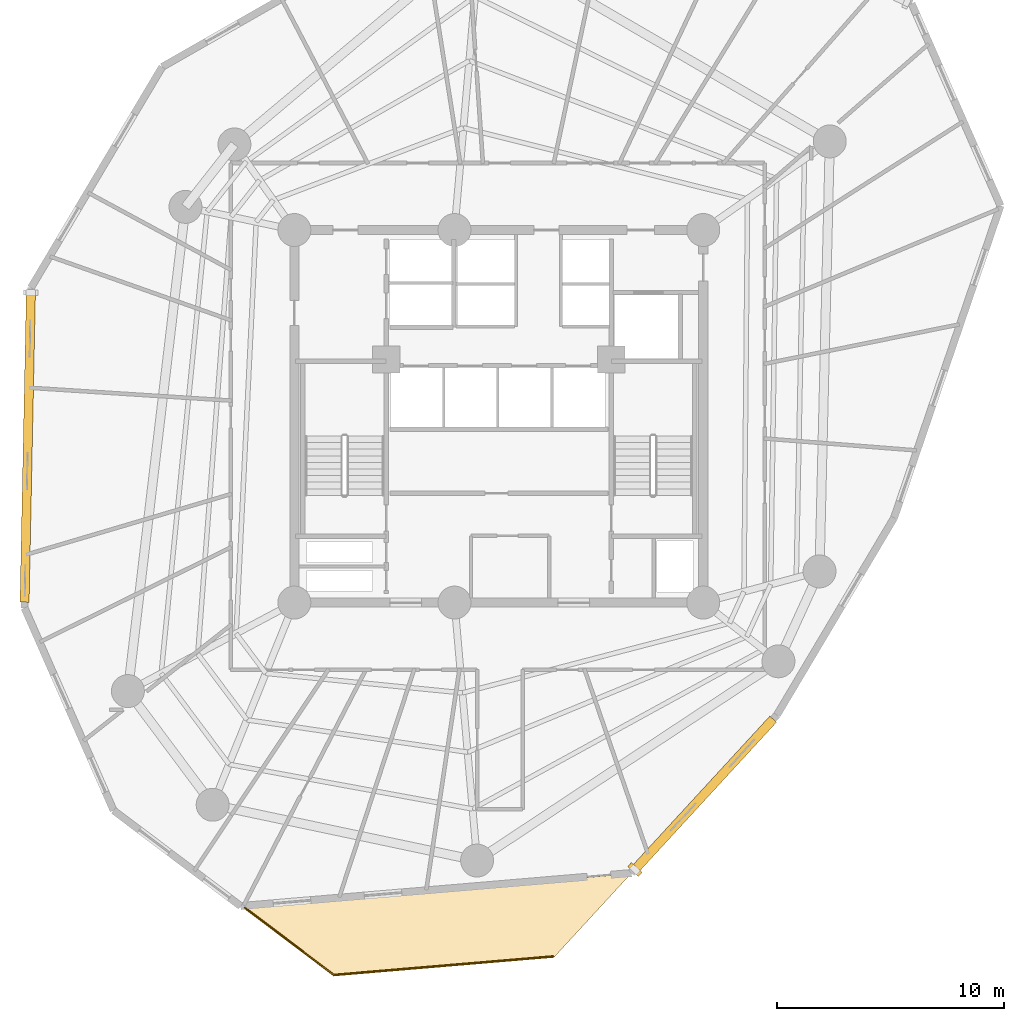
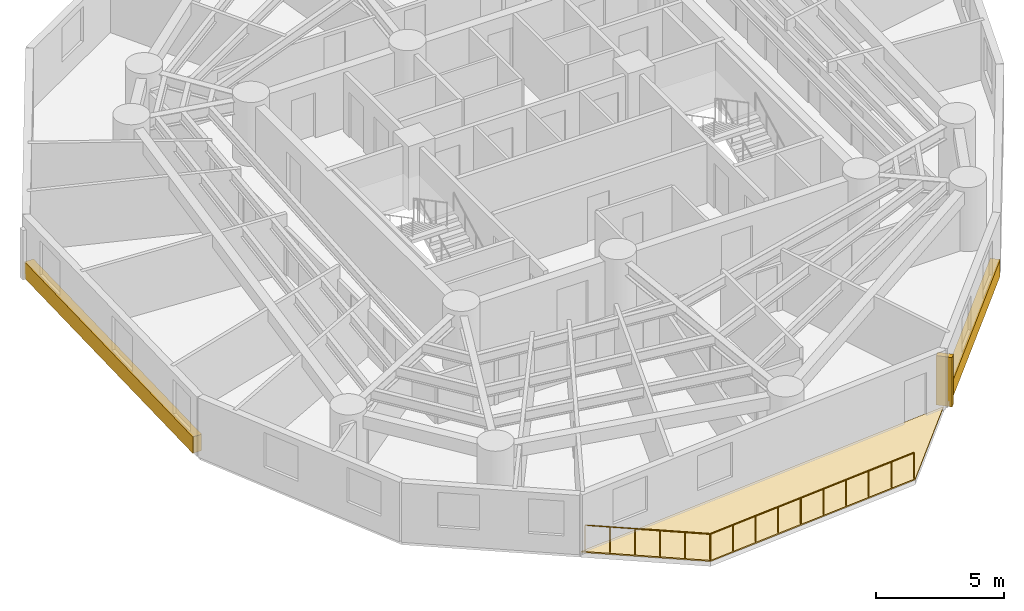
# One storey, part 8 of 10: 3 coverings, 2 railings, 1 shading device.
"""IFC4 building model written with IfcOpenShell, lengths in metres."""

from ifc_helpers import new_model, si_unit, direction, frame, origin, origin_with_axes, origin_2d, place, context, subcontext, project, spatial, polyline, rectangle, circle, outline, extrude, source, transform, mapped, material, layer, layer_set, type_object, element, save


model = new_model("IFC4")

# Units and contexts
model_context = context("Model", 3, precision=1e-05, world=origin(), true_north=direction((0.0, 1.0)))
body_context = subcontext(model_context, "Body", "Model", "MODEL_VIEW")
ifc_project = project(units=[si_unit("LENGTHUNIT", "METRE"), si_unit("AREAUNIT", "SQUARE_METRE"), si_unit("VOLUMEUNIT", "CUBIC_METRE"), si_unit("PLANEANGLEUNIT", "RADIAN"), si_unit("MASSUNIT", "GRAM", prefix="KILO")], contexts=[model_context])

# Site, building, storey
site_placement = place(None, origin())
site = spatial("IfcSite", under=ifc_project, at=site_placement, CompositionType="ELEMENT")
building_placement = place(site_placement, origin())
building = spatial("IfcBuilding", under=site, at=building_placement, Name="Karkom Vertical University and Central Library", CompositionType="ELEMENT")
storey_placement = place(building_placement, frame((0.0, 0.0, 111.449951171875)))
storey = spatial("IfcBuildingStorey", under=building, at=storey_placement, Name="L30", CompositionType="ELEMENT", Elevation=111.449951171875)

# Covering
ifc_material_1 = material(Name="EPDM membrane with Kota stone ballast roofing", Category="masonry")
ifc_layer_1 = layer(ifc_material_1, 0.080078125)
ifc_layer_set_1 = layer_set([ifc_layer_1], Name="EPDM membrane with Kota stone ballast roofing")
covering_type_1 = type_object("IfcCoveringType", Name="ENV-COV-ROOF", PredefinedType="ROOFING", material=ifc_layer_set_1)
covering_1_placement = place(storey_placement, origin())
element("IfcCovering", 1, at=covering_1_placement, inside=storey, type_object=covering_type_1, Name="Level 30 Spiral Sky Garden Waterproofing Covering", PredefinedType="ROOFING", context=body_context, shape_type="SweptSolid", body=[
    extrude(outline(polyline([(30.918701171875, 2.668212890625), (21.232177734375, 1.85009765625), (17.158203125, 4.917236328125), (34.322265625, 6.366943359375), (30.918701171875, 2.668212890625)])), origin(), (0.0, 0.0, 1.0), 0.06005859375),
])

# Railings
ifc_material_2 = material(Name="Architectural painted steel & laminated glass balustrade", Category="steel")
ifc_layer_2 = layer(ifc_material_2, 0.090087890625)
ifc_layer_set_2 = layer_set([ifc_layer_2], Name="Architectural painted steel & laminated glass balustrade")
railing_type = type_object("IfcRailingType", Name="ENV-RL-BAL1300", PredefinedType="BALUSTRADE", material=ifc_layer_set_2)
railing_1_placement = place(storey_placement, frame((30.890380859375, 2.72607421875, 0.0)))
element("IfcRailing", 2, at=railing_1_placement, inside=storey, type_object=railing_type, Name="Level 30 Planted Terrace Safety Balustrade 01", PredefinedType="BALUSTRADE", context=body_context, shape_type="SweptSolid", body=[
    extrude(circle(Radius=0.02392578125, at=origin_2d()), frame((0.0, 0.0, 1.27587890625), z_axis=(-0.996450259877, -0.084183606426, 0.0), x_axis=(0.084183606426, -0.996450259877, 0.0)), (0.0, 0.0, 1.0), 9.6748046875),
    extrude(circle(Radius=0.02099609375, at=origin_2d()), origin(), (0.0, 0.0, 1.0), 1.251953125),
    extrude(circle(Radius=0.02099609375, at=origin_2d()), frame((-1.071044921875, -0.090576171875, 0.0)), (0.0, 0.0, 1.0), 1.251953125),
    extrude(circle(Radius=0.02099609375, at=origin_2d()), frame((-2.142333984375, -0.180908203125, 0.0)), (0.0, 0.0, 1.0), 1.251953125),
    extrude(circle(Radius=0.02099609375, at=origin_2d()), frame((-3.21337890625, -0.271484375, 0.0)), (0.0, 0.0, 1.0), 1.251953125),
    extrude(circle(Radius=0.02099609375, at=origin_2d()), frame((-4.28466796875, -0.362060546875, 0.0)), (0.0, 0.0, 1.0), 1.251953125),
    extrude(circle(Radius=0.02099609375, at=origin_2d()), frame((-5.355712890625, -0.452392578125, 0.0)), (0.0, 0.0, 1.0), 1.251953125),
    extrude(circle(Radius=0.02099609375, at=origin_2d()), frame((-6.427001953125, -0.54296875, 0.0)), (0.0, 0.0, 1.0), 1.251953125),
    extrude(circle(Radius=0.02099609375, at=origin_2d()), frame((-7.498046875, -0.633544921875, 0.0)), (0.0, 0.0, 1.0), 1.251953125),
    extrude(circle(Radius=0.02099609375, at=origin_2d()), frame((-8.5693359375, -0.723876953125, 0.0)), (0.0, 0.0, 1.0), 1.251953125),
    extrude(circle(Radius=0.02099609375, at=origin_2d()), frame((-9.640380859375, -0.814453125, 0.0)), (0.0, 0.0, 1.0), 1.251953125),
])
railing_2_placement = place(storey_placement, frame((21.25, 1.91162109375, 0.0)))
element("IfcRailing", 3, at=railing_2_placement, inside=storey, type_object=railing_type, Name="Level 30 Planted Terrace Safety Balustrade 02", PredefinedType="BALUSTRADE", context=body_context, shape_type="SweptSolid", body=[
    extrude(circle(Radius=0.02392578125, at=origin_2d()), frame((0.0, 0.0, 1.27587890625), z_axis=(-0.798890968312, 0.6014758688, 0.0), x_axis=(-0.6014758688, -0.798890968312, 0.0)), (0.0, 0.0, 1.0), 4.91943359375),
    extrude(circle(Radius=0.02099609375, at=origin_2d()), origin(), (0.0, 0.0, 1.0), 1.251953125),
    extrude(circle(Radius=0.02099609375, at=origin_2d()), frame((-0.7861328125, 0.591796875, 0.0)), (0.0, 0.0, 1.0), 1.251953125),
    extrude(circle(Radius=0.02099609375, at=origin_2d()), frame((-1.572021484375, 1.18359375, 0.0)), (0.0, 0.0, 1.0), 1.251953125),
    extrude(circle(Radius=0.02099609375, at=origin_2d()), frame((-2.358154296875, 1.775390625, 0.0)), (0.0, 0.0, 1.0), 1.251953125),
    extrude(circle(Radius=0.02099609375, at=origin_2d()), frame((-3.14404296875, 2.3671875, 0.0)), (0.0, 0.0, 1.0), 1.251953125),
    extrude(circle(Radius=0.02099609375, at=origin_2d()), frame((-3.93017578125, 2.958984375, 0.0)), (0.0, 0.0, 1.0), 1.251953125),
])

# Shading device
ifc_material_3 = material(Name="Terracotta-clad precast concrete sun-breaker fin C45/55", Category="masonry")
shading_device_type = type_object("IfcShadingDeviceType", Name="ENV-SHD-BRISE", PredefinedType="USERDEFINED", material=ifc_material_3)
shared_shape_1 = source(origin_with_axes(), body_context, "Body", "SweptSolid", [
    extrude(rectangle(XDim=0.239990234375, YDim=0.639892578125, at=origin_2d()), origin(), (0.0, 0.0, 1.0), 2.35009765625),
])
shading_device_placement = place(storey_placement, frame((34.4912109375, 6.55078125, 0.0), z_axis=(0.0, 0.0, 1.0), x_axis=(0.677132874795, 0.735860767993, 0.0)))
element("IfcShadingDevice", 4, at=shading_device_placement, inside=storey, type_object=shading_device_type, Name="Level 30 Brutalist Brise-Soleil Fin 05", ObjectType="BRISE SOLEIL", PredefinedType="USERDEFINED", context=body_context, shape_type="MappedRepresentation", body=[
    mapped(shared_shape_1, transform((0.0, 0.0, 0.0), scale=1.0)),
])

# Coverings
ifc_material_4 = material(Name="Hand-pressed red-ochre terracotta brick slip cladding", Category="masonry")
ifc_layer_3 = layer(ifc_material_4, 0.090087890625)
ifc_layer_set_3 = layer_set([ifc_layer_3], Name="Hand-pressed red-ochre terracotta brick slip cladding")
covering_type_2 = type_object("IfcCoveringType", Name="ENV-COV-CLAD", PredefinedType="CLADDING", material=ifc_layer_set_3)
shared_shape_2 = source(origin_with_axes(), body_context, "Body", "SweptSolid", [
    extrude(rectangle(XDim=13.60107421875, YDim=0.39990234375, at=origin_2d()), origin(), (0.0, 0.0, 1.0), 0.780029296875),
])
covering_2_placement = place(storey_placement, frame((7.761962890625, 25.11474609375, 0.0), z_axis=(0.0, 0.0, 1.0), x_axis=(-0.020418933095, -0.999791511852, 0.0)))
element("IfcCovering", 5, at=covering_2_placement, inside=storey, type_object=covering_type_2, Name="Level 30 Terracotta Spandrel Cladding 01", PredefinedType="CLADDING", context=body_context, shape_type="MappedRepresentation", body=[
    mapped(shared_shape_2, transform((0.0, 0.0, 0.0), scale=1.0)),
])
shared_shape_3 = source(origin_with_axes(), body_context, "Body", "SweptSolid", [
    extrude(rectangle(XDim=8.9619140625, YDim=0.39990234375, at=origin_2d()), origin(), (0.0, 0.0, 1.0), 0.780029296875),
])
covering_3_placement = place(storey_placement, frame((37.545654296875, 9.8701171875, 0.0), z_axis=(0.0, 0.0, 1.0), x_axis=(0.677132874795, 0.735860767993, 0.0)))
element("IfcCovering", 6, at=covering_3_placement, inside=storey, type_object=covering_type_2, Name="Level 30 Terracotta Spandrel Cladding 05", PredefinedType="CLADDING", context=body_context, shape_type="MappedRepresentation", body=[
    mapped(shared_shape_3, transform((0.0, 0.0, 0.0), scale=1.0)),
])

save(model, "model.ifc")
